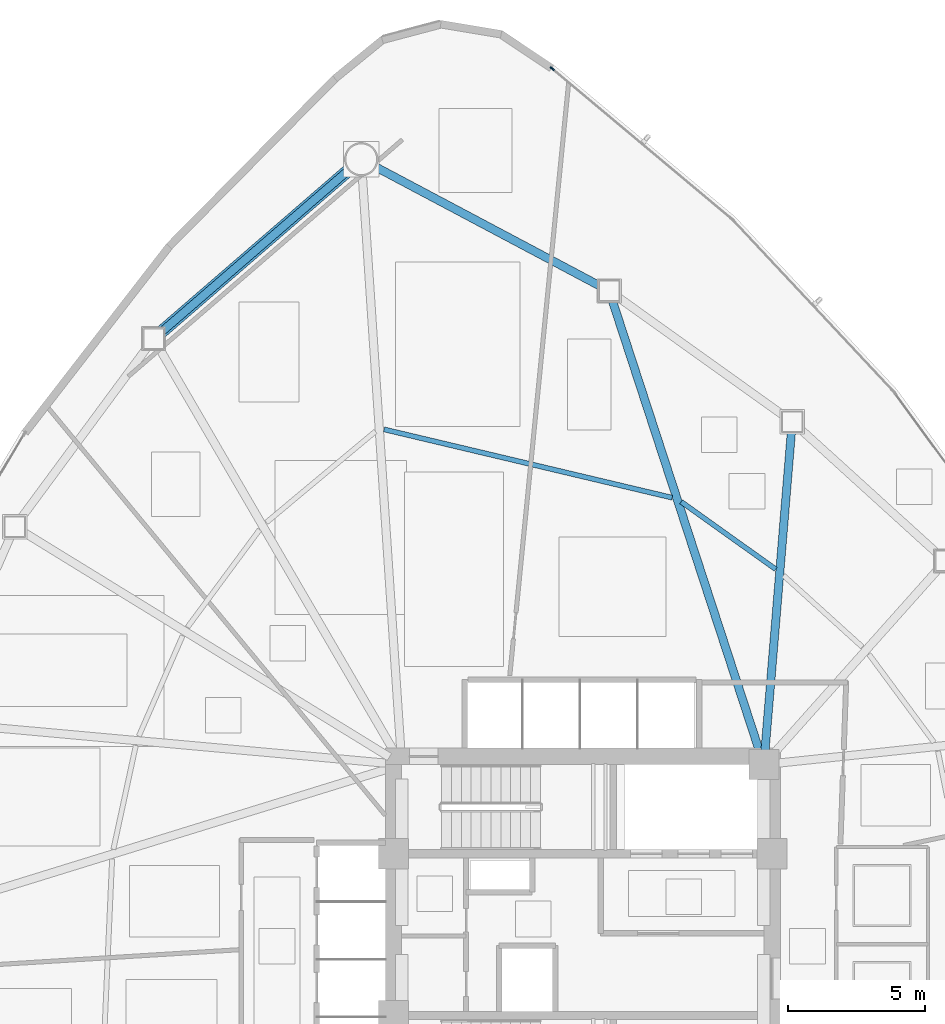
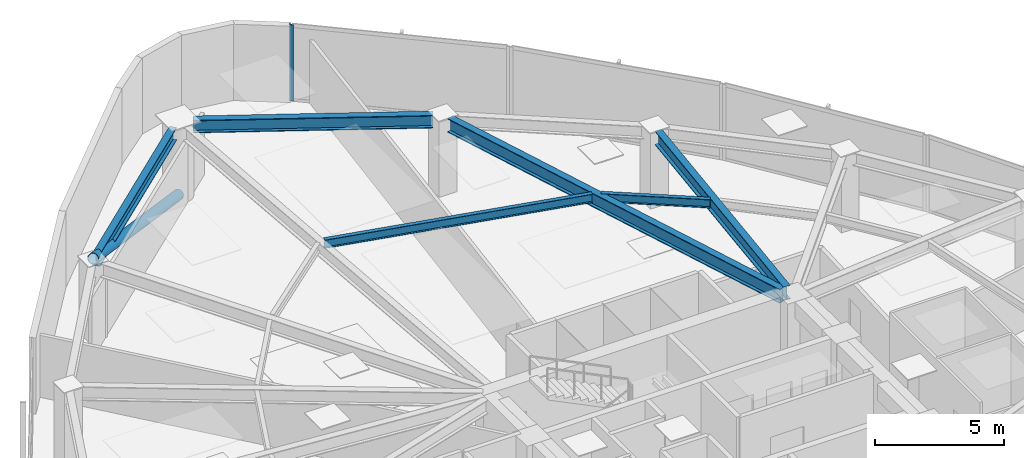
# One storey, part 8 of 16: 6 beams, 2 members, 1 element without a shape of its own.
"""IFC4 building model written with IfcOpenShell, lengths in metres."""

from ifc_helpers import new_model, si_unit, direction, frame, origin, origin_2d, place, context, subcontext, project, spatial, hollow_rectangle, hollow_circle, i_section, extrude, source, transform, mapped, material, layer, layer_set, material_profile, profile_set, type_object, type_shapes, element, aggregate, save


model = new_model("IFC4")

# Units and contexts
model_context = context("Model", 3, precision=1e-05, world=origin(), true_north=direction((0.0, 1.0)))
body_context = subcontext(model_context, "Body", "Model", "MODEL_VIEW")
ifc_project = project(units=[si_unit("LENGTHUNIT", "METRE"), si_unit("AREAUNIT", "SQUARE_METRE"), si_unit("VOLUMEUNIT", "CUBIC_METRE"), si_unit("PLANEANGLEUNIT", "RADIAN"), si_unit("MASSUNIT", "GRAM", prefix="KILO")], contexts=[model_context])

# Site, building, storey
site_placement = place(None, origin())
site = spatial("IfcSite", under=ifc_project, at=site_placement, CompositionType="ELEMENT")
building_placement = place(site_placement, origin())
building = spatial("IfcBuilding", under=site, at=building_placement, Name="Tavelor Broadcast Tower", CompositionType="ELEMENT")
storey_placement = place(building_placement, frame((0.0, 0.0, 35.39990234375)))
storey = spatial("IfcBuildingStorey", under=building, at=storey_placement, Name="L07", CompositionType="ELEMENT", Elevation=35.39990234375)

# Beams
ifc_material_1 = material(Name="Steel S355", Category="steel")
ifc_material_profile_1 = material_profile(ifc_material_1, i_section(OverallWidth=0.179931640625, OverallDepth=0.39990234375, WebThickness=0.008544921875, FlangeThickness=0.013427734375, at=origin_2d()), Name="IPE 400")
ifc_profile_set_1 = profile_set([ifc_material_profile_1], Name="Steel S355")
beam_type_1 = type_object("IfcBeamType", Name="Composite Floor Joist T1 IPE 400", PredefinedType="JOIST", material=ifc_profile_set_1)
beam_1_placement = place(storey_placement, frame((57.03369140625, 58.321044921875, 3.400146484375), z_axis=(-0.814052615916, 0.580791131579, 0.0), x_axis=(-0.580791131579, -0.814052615916, 0.0)))
element("IfcBeam", 1, at=beam_1_placement, inside=storey, type_object=beam_type_1, Name="L07 Secondary Composite Floor Joist 17", PredefinedType="JOIST", context=body_context, shape_type="SweptSolid", body=[
    extrude(i_section(OverallWidth=0.179931640625, OverallDepth=0.39990234375, WebThickness=0.008544921875, FlangeThickness=0.013427734375, at=origin_2d()), origin(), (0.0, 0.0, 1.0), 4.23681640625),
])
beam_2_placement = place(storey_placement, frame((53.260986328125, 60.9287109375, 3.400146484375), z_axis=(-0.973012053378, 0.230754293526, 0.0), x_axis=(-0.230754293526, -0.973012053378, 0.0)))
element("IfcBeam", 2, at=beam_2_placement, inside=storey, type_object=beam_type_1, Name="L07 Secondary Composite Floor Joist 18", PredefinedType="JOIST", context=body_context, shape_type="SweptSolid", body=[
    extrude(i_section(OverallWidth=0.179931640625, OverallDepth=0.39990234375, WebThickness=0.008544921875, FlangeThickness=0.013427734375, at=origin_2d()), origin(), (0.0, 0.0, 1.0), 10.797119140625),
])
ifc_material_profile_2 = material_profile(ifc_material_1, i_section(OverallWidth=0.300048828125, OverallDepth=0.60009765625, WebThickness=0.015380859375, FlangeThickness=0.030029296875, at=origin_2d()), Name="HEB 600")
ifc_profile_set_2 = profile_set([ifc_material_profile_2], Name="Steel S355")
beam_type_2 = type_object("IfcBeamType", Name="Perimeter Spandrel Beam T1 HEB 600", PredefinedType="SPANDREL", material=ifc_profile_set_2)
beam_3_placement = place(storey_placement, frame((41.48046875, 72.8837890625, 3.300048828125), z_axis=(-0.756663126242, -0.653804950566, 0.0), x_axis=(0.653804950566, -0.756663126242, 0.0)))
element("IfcBeam", 3, at=beam_3_placement, inside=storey, type_object=beam_type_2, Name="L07 Framed-Tube Ring Spandrel 01", PredefinedType="SPANDREL", context=body_context, shape_type="SweptSolid", body=[
    extrude(i_section(OverallWidth=0.300048828125, OverallDepth=0.60009765625, WebThickness=0.015380859375, FlangeThickness=0.030029296875, at=origin_2d()), origin(), (0.0, 0.0, 1.0), 9.031494140625),
])
beam_4_placement = place(storey_placement, frame((50.62255859375, 68.648681640625, 3.300048828125), z_axis=(-0.883283542259, 0.468839187755, 0.0), x_axis=(-0.468839187755, -0.883283542259, 0.0)))
element("IfcBeam", 4, at=beam_4_placement, inside=storey, type_object=beam_type_2, Name="L07 Framed-Tube Ring Spandrel 18", PredefinedType="SPANDREL", context=body_context, shape_type="SweptSolid", body=[
    extrude(i_section(OverallWidth=0.300048828125, OverallDepth=0.60009765625, WebThickness=0.015380859375, FlangeThickness=0.030029296875, at=origin_2d()), origin(), (0.0, 0.0, 1.0), 9.263916015625),
])

# Member
ifc_material_profile_3 = material_profile(ifc_material_1, hollow_circle(Radius=0.228515625, WallThickness=0.02001953125, at=origin_2d()), Name="CHS 457x20")
ifc_profile_set_3 = profile_set([ifc_material_profile_3], Name="Steel S355")
member_type_1 = type_object("IfcMemberType", Name="Perimeter Tube Brace T1 CHS 457x20", PredefinedType="BRACE", material=ifc_profile_set_3)
member_1_placement = place(storey_placement, frame((41.923095703125, 73.266357421875, 0.0), z_axis=(-0.711923189295, -0.615174771108, 0.338711342497), x_axis=(0.653821967179, -0.756648422475, 0.0)))
element("IfcMember", 5, at=member_1_placement, inside=storey, type_object=member_type_1, Name="L07 Corner Tube Diagonal Brace 1", PredefinedType="BRACE", context=body_context, shape_type="SweptSolid", body=[
    extrude(hollow_circle(Radius=0.228515625, WallThickness=0.02001953125, at=origin_2d()), origin(), (0.0, 0.0, 1.0), 10.62890625),
])

# Beams
ifc_material_profile_4 = material_profile(ifc_material_1, i_section(OverallWidth=0.300048828125, OverallDepth=0.64990234375, WebThickness=0.01611328125, FlangeThickness=0.031005859375, at=origin_2d()), Name="HEB 650")
ifc_profile_set_4 = profile_set([ifc_material_profile_4], Name="Steel S355")
beam_type_3 = type_object("IfcBeamType", Name="Radial Floor Girder T1 HEB 650", PredefinedType="BEAM", material=ifc_profile_set_4)
beam_5_placement = place(storey_placement, frame((56.6435546875, 51.726318359375, 3.275146484375), z_axis=(0.08251031281, 0.996590210809, 0.0), x_axis=(-0.996590210809, 0.08251031281, 0.0)))
element("IfcBeam", 6, at=beam_5_placement, inside=storey, type_object=beam_type_3, Name="L07 Radial Primary Floor Girder 17", PredefinedType="BEAM", context=body_context, shape_type="SweptSolid", body=[
    extrude(i_section(OverallWidth=0.300048828125, OverallDepth=0.64990234375, WebThickness=0.01611328125, FlangeThickness=0.031005859375, at=origin_2d()), origin(), (0.0, 0.0, 1.0), 11.62841796875),
])
beam_6_placement = place(storey_placement, frame((56.43603515625, 51.701904296875, 3.275146484375), z_axis=(-0.310367857535, 0.950616533103, 0.0), x_axis=(-0.950616533103, -0.310367857535, 0.0)))
element("IfcBeam", 7, at=beam_6_placement, inside=storey, type_object=beam_type_3, Name="L07 Radial Primary Floor Girder 18", PredefinedType="BEAM", context=body_context, shape_type="SweptSolid", body=[
    extrude(i_section(OverallWidth=0.300048828125, OverallDepth=0.64990234375, WebThickness=0.01611328125, FlangeThickness=0.031005859375, at=origin_2d()), origin(), (0.0, 0.0, 1.0), 17.253662109375),
])

# Curtain wall, member
ifc_material_2 = material(Name="Architectural Anodized Aluminium", Category="aluminium")
ifc_layer = layer(ifc_material_2, 0.179931640625)
ifc_layer_set = layer_set([ifc_layer], Name="Architectural Anodized Aluminium")
curtain_wall_type = type_object("IfcCurtainWallType", Name="Tower Low-Zone Unitised Curtain Wall CW02", PredefinedType="NOTDEFINED", material=ifc_layer_set)
curtain_wall_placement = place(storey_placement, origin())
curtain_wall = element("IfcCurtainWall", 8, at=curtain_wall_placement, inside=storey, type_object=curtain_wall_type, Name="L07 Curtain Wall CW02 Run 48", PredefinedType="NOTDEFINED")
ifc_material_profile_5 = material_profile(ifc_material_2, hollow_rectangle(XDim=0.06494140625, YDim=0.179931640625, WallThickness=0.02197265625, at=origin_2d()), Name="RHS 65x180x22")
ifc_profile_set_5 = profile_set([ifc_material_profile_5], Name="Architectural Anodized Aluminium")
member_type_2 = type_object("IfcMemberType", Name="CW02 Extruded Aluminium Mullion 65x180", PredefinedType="MULLION", material=ifc_profile_set_5)
shared_shape = source(origin(), body_context, "Body", "SweptSolid", [
    extrude(hollow_rectangle(XDim=0.06494140625, YDim=0.179931640625, WallThickness=0.02197265625, at=origin_2d()), origin(), (0.0, 0.0, 1.0), 3.60009765625),
])
type_shapes(member_type_2, [shared_shape])
member_2_placement = place(storey_placement, frame((48.885009765625, 76.569091796875, 0.0), z_axis=(0.0, 0.0, 1.0), x_axis=(-0.641763729235, -0.766902416112, 0.0)))
member_2 = element("IfcMember", 9, at=member_2_placement, type_object=member_type_2, Name="CW02 mullion 2", PredefinedType="MULLION", context=body_context, shape_type="MappedRepresentation", body=[
    mapped(shared_shape, transform((0.0, 0.0, 0.0), scale=1.0)),
])
aggregate(curtain_wall, [member_2])

save(model, "model.ifc")
